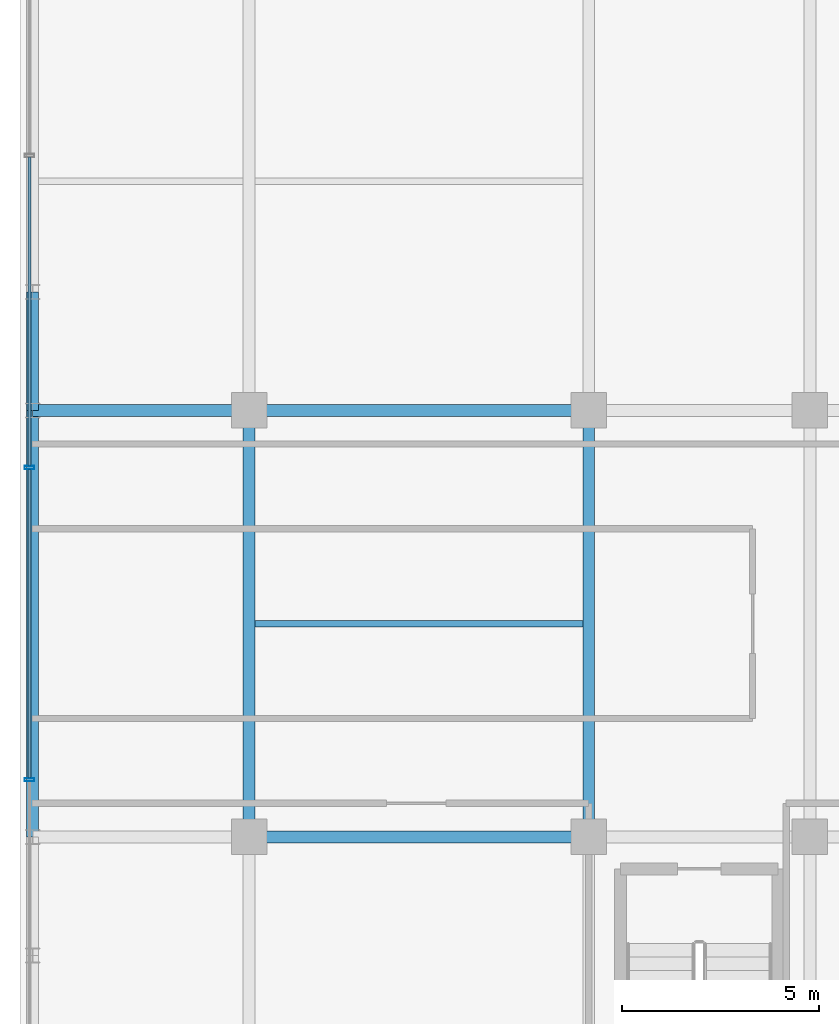
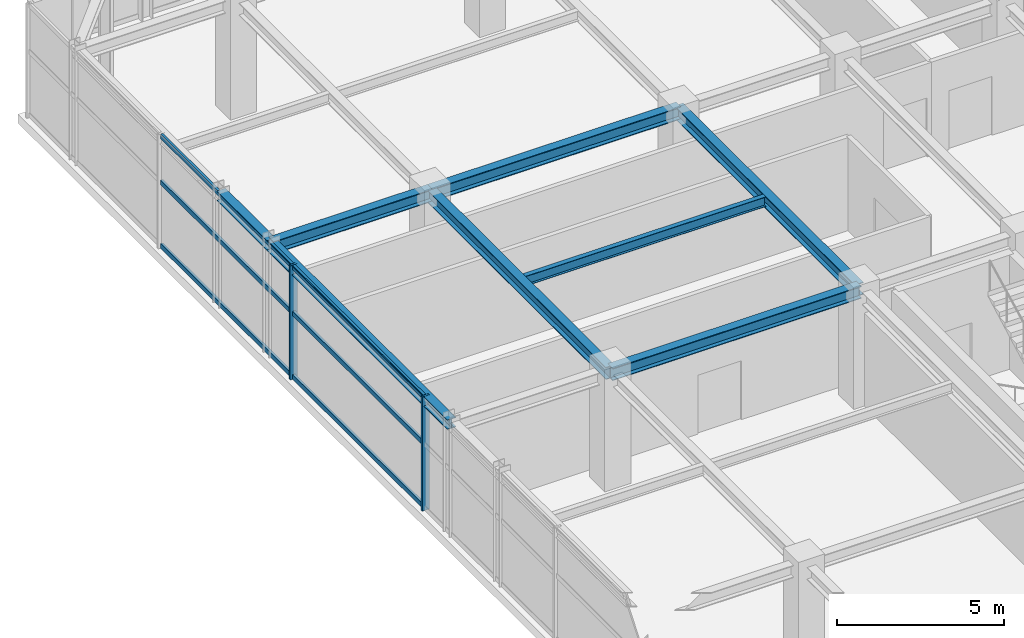
# One storey, part 8 of 20: 8 beams, 8 members, 1 element without a shape of its own.
"""IFC4 building model written with IfcOpenShell, lengths in metres."""

from ifc_helpers import new_model, si_unit, direction, frame, origin, origin_2d, place, context, subcontext, project, spatial, hollow_rectangle, i_section, extrude, source, transform, mapped, material, material_profile, profile_set, type_object, element, aggregate, save


model = new_model("IFC4")

# Units and contexts
model_context = context("Model", 3, precision=1e-05, world=origin(), true_north=direction((0.0, 1.0)))
body_context = subcontext(model_context, "Body", "Model", "MODEL_VIEW")
ifc_project = project(units=[si_unit("LENGTHUNIT", "METRE"), si_unit("AREAUNIT", "SQUARE_METRE"), si_unit("VOLUMEUNIT", "CUBIC_METRE"), si_unit("PLANEANGLEUNIT", "RADIAN"), si_unit("MASSUNIT", "GRAM", prefix="KILO")], contexts=[model_context])

# Site, building, storey
site_placement = place(None, origin())
site = spatial("IfcSite", under=ifc_project, at=site_placement, CompositionType="ELEMENT")
building_placement = place(site_placement, origin())
building = spatial("IfcBuilding", under=site, at=building_placement, Name="Nahalor Promenade Grand Hotel", CompositionType="ELEMENT")
storey_placement = place(building_placement, frame((0.0, 0.0, 347.550048828125)))
storey = spatial("IfcBuildingStorey", under=building, at=storey_placement, Name="L89", CompositionType="ELEMENT", Elevation=347.550048828125)

# Beams
ifc_material_1 = material(Name="Steel S355JR", Category="steel")
ifc_material_profile_1 = material_profile(ifc_material_1, i_section(OverallWidth=0.3, OverallDepth=0.45, WebThickness=0.014, FlangeThickness=0.026, at=origin_2d()), Name="HEB 450")
ifc_profile_set_1 = profile_set([ifc_material_profile_1], Name="Steel S355JR")
beam_type_1 = type_object("IfcBeamType", Name="Beam-Girder-HEB450", PredefinedType="BEAM", material=ifc_profile_set_1)
shared_shape_1 = source(origin(), body_context, "Body", "SweptSolid", [
    extrude(i_section(OverallWidth=0.3, OverallDepth=0.45, WebThickness=0.014, FlangeThickness=0.026, at=origin_2d()), origin(), (0.0, 0.0, 1.0), 8.60009765625),
])
for number, where, z_axis, x_axis, name in (
    (1, (-17.0, -5.39990234375, 3.945068359375), (1.0, 0.0, 0.0), (0.0, 1.0, 0.0), "BM-L89-GX-1-1"),
    (2, (-17.0, 5.39990234375, 3.945068359375), (1.0, 0.0, 0.0), (0.0, 1.0, 0.0), "BM-L89-GX-2-1"),
):
    element("IfcBeam", number, at=place(storey_placement, frame(where, z_axis=z_axis, x_axis=x_axis)), inside=storey, type_object=beam_type_1, Name=name, PredefinedType="BEAM", context=body_context, shape_type="MappedRepresentation", body=[
        mapped(shared_shape_1, transform((0.0, 0.0, 0.0), scale=1.0)),
    ])
shared_shape_2 = source(origin(), body_context, "Body", "SweptSolid", [
    extrude(i_section(OverallWidth=0.3, OverallDepth=0.45, WebThickness=0.014, FlangeThickness=0.026, at=origin_2d()), origin(), (0.0, 0.0, 1.0), 10.7998046875),
])
for number, where, z_axis, x_axis, name in (
    (3, (-17.0, -5.39990234375, 3.945068359375), (0.0, 1.0, 0.0), (-1.0, 0.0, 0.0), "BM-L89-GY-0-2"),
    (4, (-8.39990234375, -5.39990234375, 3.945068359375), (0.0, 1.0, 0.0), (-1.0, 0.0, 0.0), "BM-L89-GY-1-2"),
):
    element("IfcBeam", number, at=place(storey_placement, frame(where, z_axis=z_axis, x_axis=x_axis)), inside=storey, type_object=beam_type_1, Name=name, PredefinedType="BEAM", context=body_context, shape_type="MappedRepresentation", body=[
        mapped(shared_shape_2, transform((0.0, 0.0, 0.0), scale=1.0)),
    ])
shared_shape_3 = source(origin(), body_context, "Body", "SweptSolid", [
    extrude(i_section(OverallWidth=0.3, OverallDepth=0.45, WebThickness=0.014, FlangeThickness=0.026, at=origin_2d()), origin(), (0.0, 0.0, 1.0), 5.47998046875),
])
beam_1_placement = place(storey_placement, frame((-22.47998046875, 5.39990234375, 3.945068359375), z_axis=(1.0, 0.0, 0.0), x_axis=(0.0, 1.0, 0.0)))
element("IfcBeam", 5, at=beam_1_placement, inside=storey, type_object=beam_type_1, Name="BM-L89-GX-2-0", PredefinedType="BEAM", context=body_context, shape_type="MappedRepresentation", body=[
    mapped(shared_shape_3, transform((0.0, 0.0, 0.0), scale=1.0)),
])
ifc_material_profile_2 = material_profile(ifc_material_1, i_section(OverallWidth=0.3, OverallDepth=0.36, WebThickness=0.0125, FlangeThickness=0.0225, at=origin_2d()), Name="HEB 360")
ifc_profile_set_2 = profile_set([ifc_material_profile_2], Name="Steel S355JR")
beam_type_2 = type_object("IfcBeamType", Name="Beam-Spandrel-HEB360", PredefinedType="SPANDREL", material=ifc_profile_set_2)
shared_shape_4 = source(origin(), body_context, "Body", "SweptSolid", [
    extrude(i_section(OverallWidth=0.3, OverallDepth=0.36, WebThickness=0.0125, FlangeThickness=0.0225, at=origin_2d()), origin(), (0.0, 0.0, 1.0), 3.0),
])
beam_2_placement = place(storey_placement, frame((-22.47998046875, 5.39990234375, 3.989990234375), z_axis=(0.0, 1.0, 0.0), x_axis=(-1.0, 0.0, 0.0)))
element("IfcBeam", 6, at=beam_2_placement, inside=storey, type_object=beam_type_2, Name="BM-L89-SP-W-3", PredefinedType="SPANDREL", context=body_context, shape_type="MappedRepresentation", body=[
    mapped(shared_shape_4, transform((0.0, 0.0, 0.0), scale=1.0)),
])
shared_shape_5 = source(origin(), body_context, "Body", "SweptSolid", [
    extrude(i_section(OverallWidth=0.3, OverallDepth=0.36, WebThickness=0.0125, FlangeThickness=0.0225, at=origin_2d()), origin(), (0.0, 0.0, 1.0), 10.7998046875),
])
beam_3_placement = place(storey_placement, frame((-22.47998046875, -5.39990234375, 3.989990234375), z_axis=(0.0, 1.0, 0.0), x_axis=(-1.0, 0.0, 0.0)))
element("IfcBeam", 7, at=beam_3_placement, inside=storey, type_object=beam_type_2, Name="BM-L89-SP-W-2", PredefinedType="SPANDREL", context=body_context, shape_type="MappedRepresentation", body=[
    mapped(shared_shape_5, transform((0.0, 0.0, 0.0), scale=1.0)),
])
ifc_material_profile_3 = material_profile(ifc_material_1, i_section(OverallWidth=0.17, OverallDepth=0.36, WebThickness=0.008, FlangeThickness=0.0127, at=origin_2d()), Name="IPE 360")
ifc_profile_set_3 = profile_set([ifc_material_profile_3], Name="Steel S355JR")
beam_type_3 = type_object("IfcBeamType", Name="Beam-Joist-IPE360", PredefinedType="JOIST", material=ifc_profile_set_3)
shared_shape_6 = source(origin(), body_context, "Body", "SweptSolid", [
    extrude(i_section(OverallWidth=0.17, OverallDepth=0.36, WebThickness=0.008, FlangeThickness=0.0127, at=origin_2d()), origin(), (0.0, 0.0, 1.0), 8.300048828125),
])
beam_4_placement = place(storey_placement, frame((-16.85009765625, 0.0, 3.989990234375), z_axis=(1.0, 0.0, 0.0), x_axis=(0.0, 1.0, 0.0)))
element("IfcBeam", 8, at=beam_4_placement, inside=storey, type_object=beam_type_3, Name="BM-L89-JSC-0", PredefinedType="JOIST", context=body_context, shape_type="MappedRepresentation", body=[
    mapped(shared_shape_6, transform((0.0, 0.0, 0.0), scale=1.0)),
])

# Curtain wall, members
ifc_material_2 = material(Name="Anodised Bronze Aluminium EN AW-6063 T6", Category="aluminium")
curtain_wall_type = type_object("IfcCurtainWallType", Name="CW5 Sky-Lobby & Observation Panoramic Curtain Wall", PredefinedType="USERDEFINED", material=ifc_material_2)
curtain_wall_placement = place(storey_placement, origin())
curtain_wall = element("IfcCurtainWall", 9, at=curtain_wall_placement, inside=storey, type_object=curtain_wall_type, Name="L89 Curtain Wall CW-L89-W-1", ObjectType="UNITISED_CURTAIN_WALL", PredefinedType="USERDEFINED")
ifc_material_profile_4 = material_profile(ifc_material_2, hollow_rectangle(XDim=0.085, YDim=0.25, WallThickness=0.006, at=origin_2d()), Name="CWM 85x250x6")
ifc_profile_set_4 = profile_set([ifc_material_profile_4], Name="Anodised Bronze Aluminium EN AW-6063 T6")
member_type_1 = type_object("IfcMemberType", Name="CWM5 Panoramic Deep Mullion 85x250", PredefinedType="MULLION", material=ifc_profile_set_4)
shared_shape_7 = source(origin(), body_context, "Body", "SweptSolid", [
    extrude(hollow_rectangle(XDim=0.085, YDim=0.25, WallThickness=0.006, at=origin_2d()), origin(), (0.0, 0.0, 1.0), 4.169921875),
])
member_1_placement = place(storey_placement, frame((-22.56005859375, -3.951904296875, 0.0), z_axis=(0.0, 0.0, 1.0), x_axis=(0.0, 1.0, 0.0)))
member_1 = element("IfcMember", 10, at=member_1_placement, type_object=member_type_1, Name="CW-L89-W-1 Mullion 2", PredefinedType="MULLION", context=body_context, shape_type="MappedRepresentation", body=[
    mapped(shared_shape_7, transform((0.0, 0.0, 0.0), scale=1.0)),
])
member_2_placement = place(storey_placement, frame((-22.56005859375, 3.951904296875, 0.0), z_axis=(0.0, 0.0, 1.0), x_axis=(0.0, 1.0, 0.0)))
member_2 = element("IfcMember", 11, at=member_2_placement, type_object=member_type_1, Name="CW-L89-W-1 Mullion 3", PredefinedType="MULLION", context=body_context, shape_type="MappedRepresentation", body=[
    mapped(shared_shape_7, transform((0.0, 0.0, 0.0), scale=1.0)),
])
ifc_material_profile_5 = material_profile(ifc_material_2, hollow_rectangle(XDim=0.085, YDim=0.17, WallThickness=0.005, at=origin_2d()), Name="CWT 85x170x5")
ifc_profile_set_5 = profile_set([ifc_material_profile_5], Name="Anodised Bronze Aluminium EN AW-6063 T6")
member_type_2 = type_object("IfcMemberType", Name="CWT5 Panoramic Transom 85x170", PredefinedType="USERDEFINED", material=ifc_profile_set_5)
shared_shape_8 = source(origin(), body_context, "Body", "SweptSolid", [
    extrude(hollow_rectangle(XDim=0.085, YDim=0.17, WallThickness=0.005, at=origin_2d()), origin(), (0.0, 0.0, 1.0), 7.819091796875),
])
member_3_placement = place(storey_placement, frame((-22.56005859375, 3.994384765625, 0.0849609375), z_axis=(0.0, 1.0, 0.0), x_axis=(-1.0, 0.0, 0.0)))
member_3 = element("IfcMember", 12, at=member_3_placement, type_object=member_type_2, Name="CW-L89-W-1 Transom 3-0", ObjectType="TRANSOM", PredefinedType="USERDEFINED", context=body_context, shape_type="MappedRepresentation", body=[
    mapped(shared_shape_8, transform((0.0, 0.0, 0.0), scale=1.0)),
])
member_4_placement = place(storey_placement, frame((-22.56005859375, 3.994384765625, 2.39990234375), z_axis=(0.0, 1.0, 0.0), x_axis=(-1.0, 0.0, 0.0)))
member_4 = element("IfcMember", 13, at=member_4_placement, type_object=member_type_2, Name="CW-L89-W-1 Transom 3-1", ObjectType="TRANSOM", PredefinedType="USERDEFINED", context=body_context, shape_type="MappedRepresentation", body=[
    mapped(shared_shape_8, transform((0.0, 0.0, 0.0), scale=1.0)),
])
member_5_placement = place(storey_placement, frame((-22.56005859375, 3.994384765625, 4.0849609375), z_axis=(0.0, 1.0, 0.0), x_axis=(-1.0, 0.0, 0.0)))
member_5 = element("IfcMember", 14, at=member_5_placement, type_object=member_type_2, Name="CW-L89-W-1 Transom 3-2", ObjectType="TRANSOM", PredefinedType="USERDEFINED", context=body_context, shape_type="MappedRepresentation", body=[
    mapped(shared_shape_8, transform((0.0, 0.0, 0.0), scale=1.0)),
])
shared_shape_9 = source(origin(), body_context, "Body", "SweptSolid", [
    extrude(hollow_rectangle(XDim=0.085, YDim=0.17, WallThickness=0.005, at=origin_2d()), origin(), (0.0, 0.0, 1.0), 7.81884765625),
])
member_6_placement = place(storey_placement, frame((-22.56005859375, -3.909423828125, 0.0849609375), z_axis=(0.0, 1.0, 0.0), x_axis=(-1.0, 0.0, 0.0)))
member_6 = element("IfcMember", 15, at=member_6_placement, type_object=member_type_2, Name="CW-L89-W-1 Transom 2-0", ObjectType="TRANSOM", PredefinedType="USERDEFINED", context=body_context, shape_type="MappedRepresentation", body=[
    mapped(shared_shape_9, transform((0.0, 0.0, 0.0), scale=1.0)),
])
member_7_placement = place(storey_placement, frame((-22.56005859375, -3.909423828125, 2.39990234375), z_axis=(0.0, 1.0, 0.0), x_axis=(-1.0, 0.0, 0.0)))
member_7 = element("IfcMember", 16, at=member_7_placement, type_object=member_type_2, Name="CW-L89-W-1 Transom 2-1", ObjectType="TRANSOM", PredefinedType="USERDEFINED", context=body_context, shape_type="MappedRepresentation", body=[
    mapped(shared_shape_9, transform((0.0, 0.0, 0.0), scale=1.0)),
])
member_8_placement = place(storey_placement, frame((-22.56005859375, -3.909423828125, 4.0849609375), z_axis=(0.0, 1.0, 0.0), x_axis=(-1.0, 0.0, 0.0)))
member_8 = element("IfcMember", 17, at=member_8_placement, type_object=member_type_2, Name="CW-L89-W-1 Transom 2-2", ObjectType="TRANSOM", PredefinedType="USERDEFINED", context=body_context, shape_type="MappedRepresentation", body=[
    mapped(shared_shape_9, transform((0.0, 0.0, 0.0), scale=1.0)),
])
aggregate(curtain_wall, [member_1, member_2, member_6, member_7, member_8, member_3, member_4, member_5])

save(model, "model.ifc")
